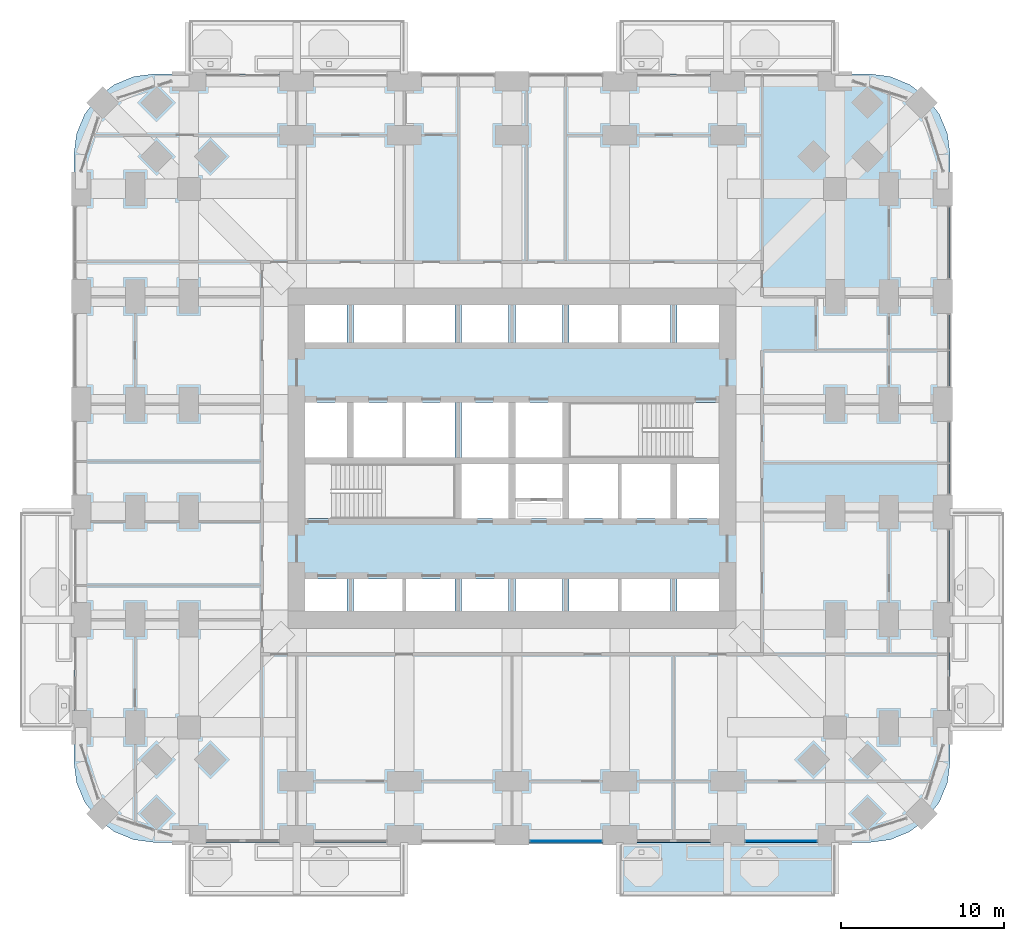
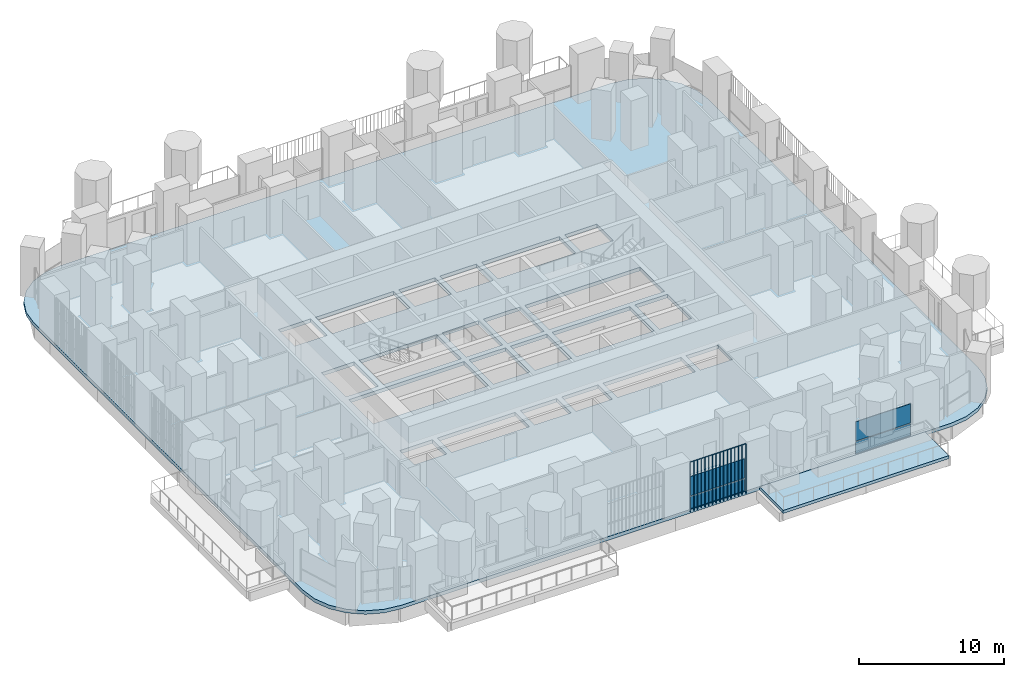
# One storey, part 13 of 27: 5 plates, 2 slabs, 2 elements without a shape of their own.
"""IFC4 building model written with IfcOpenShell, lengths in metres."""

import ifcopenshell
import ifcopenshell.guid

model = None  # the IFC model being written
_history = None  # IfcOwnerHistory: only IFC2X3 demands one
_inside = {}  # id of a spatial element -> (the spatial element, [elements in it])
_under = {}  # id of a project, library or spatial element -> (it, [spatial elements below it])
_declared = {}  # id of a project -> (the project, [libraries it declares])
_typed = {}  # id of a type object -> (the type object, [elements of that type])
_made_of = {}  # id of a material, layer set ... -> (it, [elements and type objects made of it])


def new_model(schema):
    """Start an empty IFC model of exactly this schema.

    Asked for "IFC4X3", IfcOpenShell would pick the latest addendum, in which some entities
    have other attributes; the version numbers below select the first issue.
    IFC2X3 requires an IfcOwnerHistory on every rooted entity: one is made here for all.
    """
    global model, _history
    if schema == "IFC4X3":
        model = ifcopenshell.file(schema_version=(4, 3, 0, 0))
    else:
        model = ifcopenshell.file(schema=schema)
    _inside.clear()
    _under.clear()
    _declared.clear()
    _typed.clear()
    _made_of.clear()
    _history = None
    if model.schema == "IFC2X3":
        org = make("IfcOrganization", Name="unknown")
        user = make(
            "IfcPersonAndOrganization",
            ThePerson=make("IfcPerson", FamilyName="unknown"),
            TheOrganization=org,
        )
        app = make(
            "IfcApplication",
            ApplicationDeveloper=org,
            Version="unknown",
            ApplicationFullName="unknown",
            ApplicationIdentifier="unknown",
        )
        _history = make(
            "IfcOwnerHistory",
            OwningUser=user,
            OwningApplication=app,
            ChangeAction="ADDED",
            CreationDate=0,
        )
    return model


def make(cls, **values):
    """One entity of the class cls with the attributes given. An attribute that is None is left unset."""
    return model.create_entity(
        cls, **{name: value for name, value in values.items() if value is not None}
    )


def rooted(cls, **values):
    """An entity with a GlobalId (a new one), such as an element, a storey or a relation."""
    return make(cls, GlobalId=ifcopenshell.guid.new(), OwnerHistory=_history, **values)


def si_unit(unit_type, name, prefix=None):
    """IfcSIUnit, for example si_unit("LENGTHUNIT", "METRE", prefix="MILLI")."""
    return make("IfcSIUnit", UnitType=unit_type, Prefix=prefix, Name=name)


def assignment(units):
    """IfcUnitAssignment: the units of a project."""
    return None if units is None else make("IfcUnitAssignment", Units=units)


def point(xyz):
    """IfcCartesianPoint."""
    return None if xyz is None else make("IfcCartesianPoint", Coordinates=xyz)


def direction(xyz):
    """IfcDirection."""
    return None if xyz is None else make("IfcDirection", DirectionRatios=xyz)


def frame(location, z_axis=None, x_axis=None):
    """IfcAxis2Placement3D, a coordinate frame: its origin and axes. An axis left out is left unset."""
    return make(
        "IfcAxis2Placement3D",
        Location=point(location),
        Axis=direction(z_axis),
        RefDirection=direction(x_axis),
    )


def frame_2d(location, x_axis=None):
    """IfcAxis2Placement2D, a coordinate frame in the plane: its origin and x axis."""
    return make(
        "IfcAxis2Placement2D", Location=point(location), RefDirection=direction(x_axis)
    )


def origin():
    """The frame at (0, 0, 0) with its axes left unset."""
    return frame((0.0, 0.0, 0.0))


def origin_2d():
    """The frame at (0, 0) in the plane with its x axis left unset."""
    return frame_2d((0.0, 0.0))


def place(relative_to, where):
    """IfcLocalPlacement: puts the frame where relative to a parent placement (None: the world)."""
    return make(
        "IfcLocalPlacement", PlacementRelTo=relative_to, RelativePlacement=where
    )


def context(
    kind, dimensions, precision=None, world=None, true_north=None, identifier=None
):
    """IfcGeometricRepresentationContext, for example the 3D "Model" context."""
    return make(
        "IfcGeometricRepresentationContext",
        ContextIdentifier=identifier,
        ContextType=kind,
        CoordinateSpaceDimension=dimensions,
        Precision=precision,
        WorldCoordinateSystem=world,
        TrueNorth=true_north,
    )


def subcontext(parent, identifier, kind, view, scale=None):
    """IfcGeometricRepresentationSubContext, for example "Body" below "Model"."""
    return make(
        "IfcGeometricRepresentationSubContext",
        ContextIdentifier=identifier,
        ContextType=kind,
        ParentContext=parent,
        TargetScale=scale,
        TargetView=view,
    )


def project(units=None, contexts=None):
    """IfcProject with its units and contexts."""
    return rooted(
        "IfcProject",
        Name="project",
        RepresentationContexts=contexts,
        UnitsInContext=assignment(units),
    )


def spatial(cls, under=None, at=None, **own):
    """A site, building, storey or space (cls), placed at a placement, below another one or the project."""
    s = rooted(cls, ObjectPlacement=at, **own)
    if under is not None:
        _under.setdefault(under.id(), (under, []))[1].append(s)
    return s


def polyline(points):
    """IfcPolyline through the points."""
    return make("IfcPolyline", Points=[point(p) for p in points])


def profile(cls, at=None, kind="AREA", **sizes):
    """A parametric profile (cls). Its sizes go by their IFC names, for example OverallWidth=200.0."""
    return make(cls, ProfileType=kind, Position=at, **sizes)


def rectangle(**sizes):
    """IfcRectangleProfileDef."""
    return profile("IfcRectangleProfileDef", **sizes)


def outline(outer, holes=None, kind="AREA"):
    """IfcArbitraryClosedProfileDef: a profile drawn as a closed curve; with holes, ...WithVoids."""
    if holes is None:
        return make("IfcArbitraryClosedProfileDef", ProfileType=kind, OuterCurve=outer)
    return make(
        "IfcArbitraryProfileDefWithVoids",
        ProfileType=kind,
        OuterCurve=outer,
        InnerCurves=holes,
    )


def extrude(swept, where, along, depth):
    """IfcExtrudedAreaSolid: the profile swept, set in the frame where, extruded along a direction by depth."""
    return make(
        "IfcExtrudedAreaSolid",
        SweptArea=swept,
        Position=where,
        ExtrudedDirection=direction(along),
        Depth=depth,
    )


def shape(context_of_items, identifier, shape_type, items):
    """IfcShapeRepresentation: the items that make up one representation, for example the "Body"."""
    return make(
        "IfcShapeRepresentation",
        ContextOfItems=context_of_items,
        RepresentationIdentifier=identifier,
        RepresentationType=shape_type,
        Items=items,
    )


def material(Name=None, Category=None):
    """IfcMaterial."""
    return make("IfcMaterial", Name=Name, Category=Category)


def layer(
    of_material, thickness, ventilated=None, Name=None, Category=None, Priority=None
):
    """IfcMaterialLayer: one layer of a wall or slab, of a material (None: an air gap)."""
    return make(
        "IfcMaterialLayer",
        Material=of_material,
        LayerThickness=thickness,
        IsVentilated=ventilated,
        Name=Name,
        Category=Category,
        Priority=Priority,
    )


def layer_set(layers, Name=None):
    """IfcMaterialLayerSet."""
    return make("IfcMaterialLayerSet", MaterialLayers=layers, LayerSetName=Name)


def made_of(thing, what):
    """Note that an element or type object is made of a material, layer set ...; save() writes the relation."""
    if what is not None:
        _made_of.setdefault(what.id(), (what, []))[1].append(thing)
    return thing


def type_object(cls, material=None, **own):
    """A type object (cls), such as IfcWallType, which elements share."""
    return made_of(rooted(cls, **own), material)


def element(
    cls,
    number,
    at=None,
    inside=None,
    cuts=None,
    type_object=None,
    material=None,
    context=None,
    identifier="Body",
    shape_type=None,
    held_by="IfcProductDefinitionShape",
    body=None,
    shapes=None,
    **own,
):
    """One element of the class cls, such as IfcWall. Its Tag is "e" and its number.

    at: its placement. inside: the storey or other place that contains it. cuts: it is an
    opening in that element (IfcRelVoidsElement). A single representation is given by context,
    identifier, shape_type and body (its items); several are given by shapes. held_by: the class
    of the entity that holds the representations. save() writes the other relations.
    """
    e = rooted(cls, Tag="e%d" % number, ObjectPlacement=at, **own)
    if body is not None:
        shapes = [shape(context, identifier, shape_type, body)]
    if shapes is not None:
        e.Representation = make(held_by, Representations=shapes)
    if inside is not None:
        _inside.setdefault(inside.id(), (inside, []))[1].append(e)
    if cuts is not None:
        rooted(
            "IfcRelVoidsElement", RelatingBuildingElement=cuts, RelatedOpeningElement=e
        )
    if type_object is not None:
        _typed.setdefault(type_object.id(), (type_object, []))[1].append(e)
    return made_of(e, material)


def aggregate(whole, parts):
    """IfcRelAggregates: a whole, such as a stair, and the parts it consists of."""
    return rooted("IfcRelAggregates", RelatingObject=whole, RelatedObjects=parts)


def save(model, path):
    """Write the relations noted so far, then the file.

    IfcRelAggregates (storeys below a building ...), IfcRelContainedInSpatialStructure (elements
    in a storey), IfcRelDefinesByType, IfcRelAssociatesMaterial and IfcRelDeclares: one each for
    every whole, place, type object, material and project.
    """
    for whole, parts in _under.values():
        aggregate(whole, parts)
    for where, things in _inside.values():
        rooted(
            "IfcRelContainedInSpatialStructure",
            RelatedElements=things,
            RelatingStructure=where,
        )
    for kind, things in _typed.values():
        rooted("IfcRelDefinesByType", RelatedObjects=things, RelatingType=kind)
    for what, things in _made_of.values():
        rooted("IfcRelAssociatesMaterial", RelatedObjects=things, RelatingMaterial=what)
    for by, libraries in _declared.values():
        rooted("IfcRelDeclares", RelatingContext=by, RelatedDefinitions=libraries)
    model.write(path)


model = new_model("IFC4")

# Units and contexts
model_context = context("Model", 3, precision=1e-05, world=origin(), true_north=direction((0.0, 1.0)))
body_context = subcontext(model_context, "Body", "Model", "MODEL_VIEW")
ifc_project = project(units=[si_unit("LENGTHUNIT", "METRE"), si_unit("AREAUNIT", "SQUARE_METRE"), si_unit("VOLUMEUNIT", "CUBIC_METRE"), si_unit("PLANEANGLEUNIT", "RADIAN"), si_unit("MASSUNIT", "GRAM", prefix="KILO")], contexts=[model_context])

# Site, building, storey
site_placement = place(None, origin())
site = spatial("IfcSite", under=ifc_project, at=site_placement, CompositionType="ELEMENT")
building_placement = place(site_placement, origin())
building = spatial("IfcBuilding", under=site, at=building_placement, Name="Cobogo Forest Laboratory Tower", CompositionType="ELEMENT")
storey_placement = place(building_placement, frame((0.0, 0.0, 29.699951171875)))
storey = spatial("IfcBuildingStorey", under=building, at=storey_placement, Name="L06", CompositionType="ELEMENT", Elevation=29.699951171875)

# Slabs
ifc_material_1 = material(Name="Concrete HA-40 (C40/50)", Category="concrete")
ifc_layer_1 = layer(ifc_material_1, 0.25)
ifc_layer_set_1 = layer_set([ifc_layer_1], Name="Balcony slab 250")
slab_type_1 = type_object("IfcSlabType", Name="Balcony slab 250", PredefinedType="FLOOR", material=ifc_layer_set_1)
slab_1_placement = place(storey_placement, frame((0.0, 0.0, -0.25)))
element("IfcSlab", 1, at=slab_1_placement, inside=storey, type_object=slab_type_1, Name="Balcony BAL-S2 L06", PredefinedType="FLOOR", context=body_context, shape_type="SweptSolid", body=[
    extrude(outline(polyline([(33.0, -3.75), (46.199951171875, -3.75), (46.199951171875, -0.449951171875), (33.0, -0.449951171875), (33.0, -3.75)])), origin(), (0.0, 0.0, 1.0), 0.25),
])
ifc_layer_2 = layer(ifc_material_1, 0.300048828125)
ifc_layer_set_2 = layer_set([ifc_layer_2], Name="Floor slab 300")
slab_type_2 = type_object("IfcSlabType", Name="Floor slab 300", PredefinedType="FLOOR", material=ifc_layer_set_2)
slab_2_placement = place(storey_placement, frame((0.0, 0.0, -0.300048828125)))
element("IfcSlab", 2, at=slab_2_placement, inside=storey, type_object=slab_type_2, Name="L06 floor slab", PredefinedType="FLOOR", context=body_context, shape_type="SweptSolid", body=[
    extrude(outline(polyline([(48.300048828125, -0.449951171875), (49.5810546875, -0.28125), (50.77490234375, 0.213134765625), (51.80029296875, 0.999755859375), (52.5869140625, 2.02490234375), (53.081298828125, 3.21875), (53.25, 4.5), (53.25, 41.699951171875), (53.081298828125, 42.981201171875), (52.5869140625, 44.175048828125), (51.80029296875, 45.2001953125), (50.77490234375, 45.98681640625), (49.5810546875, 46.4814453125), (48.300048828125, 46.64990234375), (4.5, 46.64990234375), (3.21875, 46.4814453125), (2.02490234375, 45.98681640625), (0.999755859375, 45.2001953125), (0.213134765625, 44.175048828125), (-0.28125, 42.981201171875), (-0.449951171875, 41.699951171875), (-0.449951171875, 4.5), (-0.28125, 3.21875), (0.213134765625, 2.02490234375), (0.999755859375, 0.999755859375), (2.02490234375, 0.213134765625), (3.21875, -0.28125), (4.5, -0.449951171875), (48.300048828125, -0.449951171875)]), holes=[polyline([(16.300048828125, 13.72509765625), (13.72509765625, 13.72509765625), (13.72509765625, 15.699951171875), (16.300048828125, 15.699951171875), (16.300048828125, 13.72509765625)]), polyline([(22.89990234375, 15.699951171875), (22.89990234375, 13.72509765625), (16.699951171875, 13.72509765625), (16.699951171875, 15.699951171875), (22.89990234375, 15.699951171875)]), polyline([(23.300048828125, 13.72509765625), (23.300048828125, 15.699951171875), (26.199951171875, 15.699951171875), (26.199951171875, 13.72509765625), (23.300048828125, 13.72509765625)]), polyline([(29.5, 13.72509765625), (26.60009765625, 13.72509765625), (26.60009765625, 15.699951171875), (29.5, 15.699951171875), (29.5, 13.72509765625)]), polyline([(36.10009765625, 15.699951171875), (36.10009765625, 13.72509765625), (29.89990234375, 13.72509765625), (29.89990234375, 15.699951171875), (36.10009765625, 15.699951171875)]), polyline([(36.5, 13.72509765625), (36.5, 15.699951171875), (39.074951171875, 15.699951171875), (39.074951171875, 13.72509765625), (36.5, 13.72509765625)]), polyline([(13.72509765625, 19.39990234375), (13.72509765625, 22.75), (22.89990234375, 22.75), (22.89990234375, 19.39990234375), (13.72509765625, 19.39990234375)]), polyline([(23.300048828125, 19.39990234375), (23.300048828125, 22.75), (26.199951171875, 22.75), (26.199951171875, 19.39990234375), (23.300048828125, 19.39990234375)]), polyline([(26.60009765625, 19.39990234375), (26.60009765625, 22.75), (29.5, 22.75), (29.5, 19.39990234375), (26.60009765625, 19.39990234375)]), polyline([(36.10009765625, 22.75), (36.10009765625, 19.39990234375), (29.89990234375, 19.39990234375), (29.89990234375, 22.75), (36.10009765625, 22.75)]), polyline([(39.074951171875, 19.39990234375), (36.5, 19.39990234375), (36.5, 22.75), (39.074951171875, 22.75), (39.074951171875, 19.39990234375)]), polyline([(13.72509765625, 23.14990234375), (13.72509765625, 26.5), (16.300048828125, 26.5), (16.300048828125, 23.14990234375), (13.72509765625, 23.14990234375)]), polyline([(22.89990234375, 26.5), (22.89990234375, 23.14990234375), (16.699951171875, 23.14990234375), (16.699951171875, 26.5), (22.89990234375, 26.5)]), polyline([(23.300048828125, 23.14990234375), (23.300048828125, 26.5), (26.199951171875, 26.5), (26.199951171875, 23.14990234375), (23.300048828125, 23.14990234375)]), polyline([(26.60009765625, 23.14990234375), (26.60009765625, 26.5), (29.5, 26.5), (29.5, 23.14990234375), (26.60009765625, 23.14990234375)]), polyline([(29.89990234375, 23.14990234375), (29.89990234375, 26.5), (39.074951171875, 26.5), (39.074951171875, 23.14990234375), (29.89990234375, 23.14990234375)]), polyline([(13.72509765625, 30.199951171875), (13.72509765625, 32.47509765625), (16.300048828125, 32.47509765625), (16.300048828125, 30.199951171875), (13.72509765625, 30.199951171875)]), polyline([(22.89990234375, 32.47509765625), (22.89990234375, 30.199951171875), (16.699951171875, 30.199951171875), (16.699951171875, 32.47509765625), (22.89990234375, 32.47509765625)]), polyline([(23.300048828125, 30.199951171875), (23.300048828125, 32.47509765625), (26.199951171875, 32.47509765625), (26.199951171875, 30.199951171875), (23.300048828125, 30.199951171875)]), polyline([(26.60009765625, 30.199951171875), (26.60009765625, 32.47509765625), (29.5, 32.47509765625), (29.5, 30.199951171875), (26.60009765625, 30.199951171875)]), polyline([(36.10009765625, 32.47509765625), (36.10009765625, 30.199951171875), (29.89990234375, 30.199951171875), (29.89990234375, 32.47509765625), (36.10009765625, 32.47509765625)]), polyline([(36.5, 30.199951171875), (36.5, 32.47509765625), (39.074951171875, 32.47509765625), (39.074951171875, 30.199951171875), (36.5, 30.199951171875)])]), origin(), (0.0, 0.0, 1.0), 0.300048828125),
])

# Curtain wall, plates
ifc_material_2 = material(Name="Aluminium curtain wall", Category="aluminium")
curtain_wall_type = type_object("IfcCurtainWallType", Name="CW-1 unitised curtain wall, clear glazing, laboratory floors zones A and B", PredefinedType="USERDEFINED", material=ifc_material_2)
curtain_wall_1_placement = place(storey_placement, origin())
curtain_wall_1 = element("IfcCurtainWall", 3, at=curtain_wall_1_placement, inside=storey, type_object=curtain_wall_type, Name="Curtain wall 04 L06", ObjectType="UNITISED CURTAIN WALL", PredefinedType="USERDEFINED")
ifc_material_3 = material(Name="Clear insulated glass", Category="glass")
ifc_layer_3 = layer(ifc_material_3, 0.028076171875)
ifc_layer_set_3 = layer_set([ifc_layer_3], Name="GP-1 clear insulated glass unit 28")
plate_type_1 = type_object("IfcPlateType", Name="GP-1 clear insulated glass unit 28", PredefinedType="CURTAIN_PANEL", material=ifc_layer_set_3)
plate_1_placement = place(storey_placement, frame((29.699951171875, -0.35009765625, 0.0), z_axis=(0.0, 0.0, 1.0), x_axis=(1.0, 0.0, 0.0)))
plate_1 = element("IfcPlate", 4, at=plate_1_placement, type_object=plate_type_1, Name="CW-1 panel 1.1", PredefinedType="CURTAIN_PANEL", context=body_context, shape_type="SweptSolid", body=[
    extrude(rectangle(XDim=4.3798828125, YDim=0.028076171875, at=origin_2d()), origin(), (0.0, 0.0, 1.0), 1.02001953125),
])
plate_2_placement = place(storey_placement, frame((29.699951171875, -0.35009765625, 1.080078125), z_axis=(0.0, 0.0, 1.0), x_axis=(1.0, 0.0, 0.0)))
plate_2 = element("IfcPlate", 5, at=plate_2_placement, type_object=plate_type_1, Name="CW-1 panel 1.2", PredefinedType="CURTAIN_PANEL", context=body_context, shape_type="SweptSolid", body=[
    extrude(rectangle(XDim=4.3798828125, YDim=0.028076171875, at=origin_2d()), origin(), (0.0, 0.0, 1.0), 1.6201171875),
])
aggregate(curtain_wall_1, [plate_1, plate_2])

curtain_wall_2_placement = place(storey_placement, origin())
curtain_wall_2 = element("IfcCurtainWall", 6, at=curtain_wall_2_placement, inside=storey, type_object=curtain_wall_type, Name="Curtain wall 06 L06", ObjectType="UNITISED CURTAIN WALL", PredefinedType="USERDEFINED")
plate_3_placement = place(storey_placement, frame((42.89990234375, -0.35009765625, 0.0), z_axis=(0.0, 0.0, 1.0), x_axis=(1.0, 0.0, 0.0)))
plate_3 = element("IfcPlate", 7, at=plate_3_placement, type_object=plate_type_1, Name="CW-1 panel 1.1", PredefinedType="CURTAIN_PANEL", context=body_context, shape_type="SweptSolid", body=[
    extrude(rectangle(XDim=4.3798828125, YDim=0.028076171875, at=origin_2d()), origin(), (0.0, 0.0, 1.0), 1.02001953125),
])
plate_4_placement = place(storey_placement, frame((42.89990234375, -0.35009765625, 1.080078125), z_axis=(0.0, 0.0, 1.0), x_axis=(1.0, 0.0, 0.0)))
plate_4 = element("IfcPlate", 8, at=plate_4_placement, type_object=plate_type_1, Name="CW-1 panel 1.2", PredefinedType="CURTAIN_PANEL", context=body_context, shape_type="SweptSolid", body=[
    extrude(rectangle(XDim=4.3798828125, YDim=0.028076171875, at=origin_2d()), origin(), (0.0, 0.0, 1.0), 1.6201171875),
])
aggregate(curtain_wall_2, [plate_3, plate_4])

# Plate
ifc_material_4 = material(Name="Terracotta", Category="masonry")
plate_type_2 = type_object("IfcPlateType", Name="TB1 terracotta baguette screen", PredefinedType="USERDEFINED", material=ifc_material_4)
plate_5_placement = place(storey_placement, frame((27.481201171875, -0.477783203125, -0.14990234375)))
element("IfcPlate", 9, at=plate_5_placement, inside=storey, type_object=plate_type_2, Name="Baguette screen S4 L06", ObjectType="BAGUETTE SCREEN", PredefinedType="USERDEFINED", context=body_context, shape_type="SweptSolid", body=[
    extrude(outline(polyline([(0.02880859375, 0.011962890625), (0.011962890625, 0.02880859375), (-0.011962890625, 0.02880859375), (-0.02880859375, 0.011962890625), (-0.02880859375, -0.011962890625), (-0.011962890625, -0.02880859375), (0.011962890625, -0.02880859375), (0.02880859375, -0.011962890625), (0.02880859375, 0.011962890625)])), frame((0.0, 0.0, 4.168701171875), z_axis=(1.0, 0.0, 0.0), x_axis=(0.0, 1.0, 0.0)), (0.0, 0.0, 1.0), 4.4375),
    extrude(outline(polyline([(0.02880859375, 0.011962890625), (0.011962890625, 0.02880859375), (-0.011962890625, 0.02880859375), (-0.02880859375, 0.011962890625), (-0.02880859375, -0.011962890625), (-0.011962890625, -0.02880859375), (0.011962890625, -0.02880859375), (0.02880859375, -0.011962890625), (0.02880859375, 0.011962890625)])), origin(), (0.0, 0.0, 1.0), 4.137451171875),
    extrude(outline(polyline([(0.02880859375, 0.011962890625), (0.011962890625, 0.02880859375), (-0.011962890625, 0.02880859375), (-0.02880859375, 0.011962890625), (-0.02880859375, -0.011962890625), (-0.011962890625, -0.02880859375), (0.011962890625, -0.02880859375), (0.02880859375, -0.011962890625), (0.02880859375, 0.011962890625)])), frame((0.2958984375, 0.0, 0.0)), (0.0, 0.0, 1.0), 4.137451171875),
    extrude(outline(polyline([(0.02880859375, 0.011962890625), (0.011962890625, 0.02880859375), (-0.011962890625, 0.02880859375), (-0.02880859375, 0.011962890625), (-0.02880859375, -0.011962890625), (-0.011962890625, -0.02880859375), (0.011962890625, -0.02880859375), (0.02880859375, -0.011962890625), (0.02880859375, 0.011962890625)])), frame((0.591552734375, 0.0, 0.0)), (0.0, 0.0, 1.0), 4.137451171875),
    extrude(outline(polyline([(0.02880859375, 0.011962890625), (0.011962890625, 0.02880859375), (-0.011962890625, 0.02880859375), (-0.02880859375, 0.011962890625), (-0.02880859375, -0.011962890625), (-0.011962890625, -0.02880859375), (0.011962890625, -0.02880859375), (0.02880859375, -0.011962890625), (0.02880859375, 0.011962890625)])), frame((0.887451171875, 0.0, 0.0)), (0.0, 0.0, 1.0), 4.137451171875),
    extrude(outline(polyline([(0.02880859375, 0.011962890625), (0.011962890625, 0.02880859375), (-0.011962890625, 0.02880859375), (-0.02880859375, 0.011962890625), (-0.02880859375, -0.011962890625), (-0.011962890625, -0.02880859375), (0.011962890625, -0.02880859375), (0.02880859375, -0.011962890625), (0.02880859375, 0.011962890625)])), frame((1.183349609375, 0.0, 0.0)), (0.0, 0.0, 1.0), 4.137451171875),
    extrude(outline(polyline([(0.02880859375, 0.011962890625), (0.011962890625, 0.02880859375), (-0.011962890625, 0.02880859375), (-0.02880859375, 0.011962890625), (-0.02880859375, -0.011962890625), (-0.011962890625, -0.02880859375), (0.011962890625, -0.02880859375), (0.02880859375, -0.011962890625), (0.02880859375, 0.011962890625)])), frame((1.479248046875, 0.0, 0.0)), (0.0, 0.0, 1.0), 4.137451171875),
    extrude(outline(polyline([(0.02880859375, 0.011962890625), (0.011962890625, 0.02880859375), (-0.011962890625, 0.02880859375), (-0.02880859375, 0.011962890625), (-0.02880859375, -0.011962890625), (-0.011962890625, -0.02880859375), (0.011962890625, -0.02880859375), (0.02880859375, -0.011962890625), (0.02880859375, 0.011962890625)])), frame((1.77490234375, 0.0, 0.0)), (0.0, 0.0, 1.0), 4.137451171875),
    extrude(outline(polyline([(0.02880859375, 0.011962890625), (0.011962890625, 0.02880859375), (-0.011962890625, 0.02880859375), (-0.02880859375, 0.011962890625), (-0.02880859375, -0.011962890625), (-0.011962890625, -0.02880859375), (0.011962890625, -0.02880859375), (0.02880859375, -0.011962890625), (0.02880859375, 0.011962890625)])), frame((2.07080078125, 0.0, 0.0)), (0.0, 0.0, 1.0), 4.137451171875),
    extrude(outline(polyline([(0.02880859375, 0.011962890625), (0.011962890625, 0.02880859375), (-0.011962890625, 0.02880859375), (-0.02880859375, 0.011962890625), (-0.02880859375, -0.011962890625), (-0.011962890625, -0.02880859375), (0.011962890625, -0.02880859375), (0.02880859375, -0.011962890625), (0.02880859375, 0.011962890625)])), frame((2.36669921875, 0.0, 0.0)), (0.0, 0.0, 1.0), 4.137451171875),
    extrude(outline(polyline([(0.02880859375, 0.011962890625), (0.011962890625, 0.02880859375), (-0.011962890625, 0.02880859375), (-0.02880859375, 0.011962890625), (-0.02880859375, -0.011962890625), (-0.011962890625, -0.02880859375), (0.011962890625, -0.02880859375), (0.02880859375, -0.011962890625), (0.02880859375, 0.011962890625)])), frame((2.66259765625, 0.0, 0.0)), (0.0, 0.0, 1.0), 4.137451171875),
    extrude(outline(polyline([(0.02880859375, 0.011962890625), (0.011962890625, 0.02880859375), (-0.011962890625, 0.02880859375), (-0.02880859375, 0.011962890625), (-0.02880859375, -0.011962890625), (-0.011962890625, -0.02880859375), (0.011962890625, -0.02880859375), (0.02880859375, -0.011962890625), (0.02880859375, 0.011962890625)])), frame((2.958251953125, 0.0, 0.0)), (0.0, 0.0, 1.0), 4.137451171875),
    extrude(outline(polyline([(0.02880859375, 0.011962890625), (0.011962890625, 0.02880859375), (-0.011962890625, 0.02880859375), (-0.02880859375, 0.011962890625), (-0.02880859375, -0.011962890625), (-0.011962890625, -0.02880859375), (0.011962890625, -0.02880859375), (0.02880859375, -0.011962890625), (0.02880859375, 0.011962890625)])), frame((3.254150390625, 0.0, 0.0)), (0.0, 0.0, 1.0), 4.137451171875),
    extrude(outline(polyline([(0.02880859375, 0.011962890625), (0.011962890625, 0.02880859375), (-0.011962890625, 0.02880859375), (-0.02880859375, 0.011962890625), (-0.02880859375, -0.011962890625), (-0.011962890625, -0.02880859375), (0.011962890625, -0.02880859375), (0.02880859375, -0.011962890625), (0.02880859375, 0.011962890625)])), frame((3.550048828125, 0.0, 0.0)), (0.0, 0.0, 1.0), 4.137451171875),
    extrude(outline(polyline([(0.02880859375, 0.011962890625), (0.011962890625, 0.02880859375), (-0.011962890625, 0.02880859375), (-0.02880859375, 0.011962890625), (-0.02880859375, -0.011962890625), (-0.011962890625, -0.02880859375), (0.011962890625, -0.02880859375), (0.02880859375, -0.011962890625), (0.02880859375, 0.011962890625)])), frame((3.845947265625, 0.0, 0.0)), (0.0, 0.0, 1.0), 4.137451171875),
    extrude(outline(polyline([(0.02880859375, 0.011962890625), (0.011962890625, 0.02880859375), (-0.011962890625, 0.02880859375), (-0.02880859375, 0.011962890625), (-0.02880859375, -0.011962890625), (-0.011962890625, -0.02880859375), (0.011962890625, -0.02880859375), (0.02880859375, -0.011962890625), (0.02880859375, 0.011962890625)])), frame((4.1416015625, 0.0, 0.0)), (0.0, 0.0, 1.0), 4.137451171875),
    extrude(outline(polyline([(0.02880859375, 0.011962890625), (0.011962890625, 0.02880859375), (-0.011962890625, 0.02880859375), (-0.02880859375, 0.011962890625), (-0.02880859375, -0.011962890625), (-0.011962890625, -0.02880859375), (0.011962890625, -0.02880859375), (0.02880859375, -0.011962890625), (0.02880859375, 0.011962890625)])), frame((4.4375, 0.0, 0.0)), (0.0, 0.0, 1.0), 4.137451171875),
])

save(model, "model.ifc")
